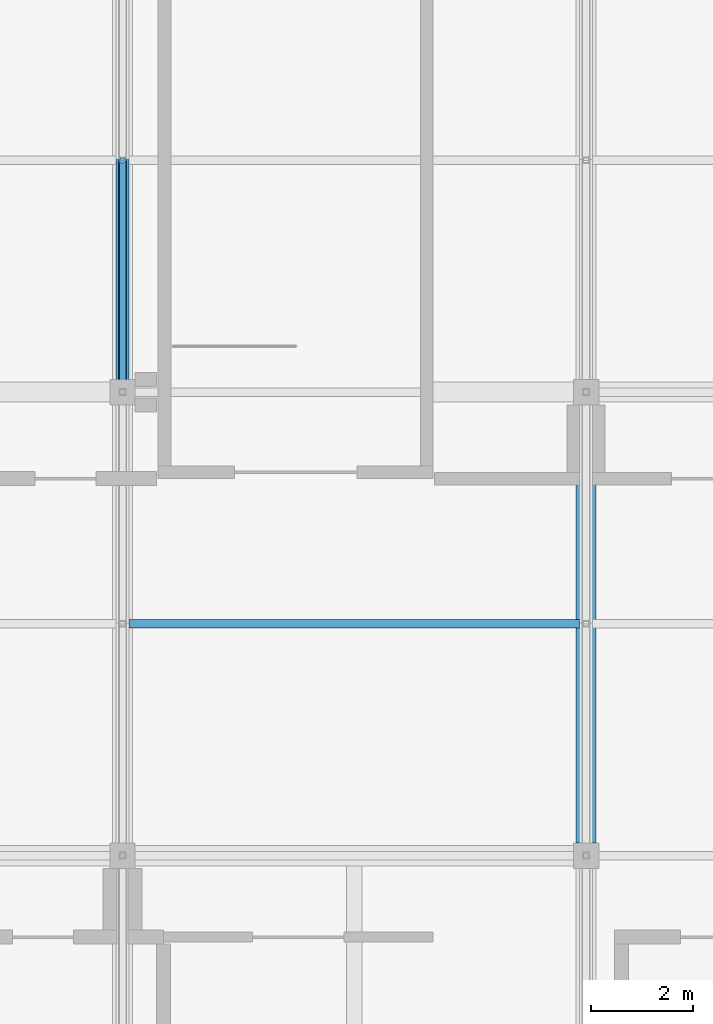
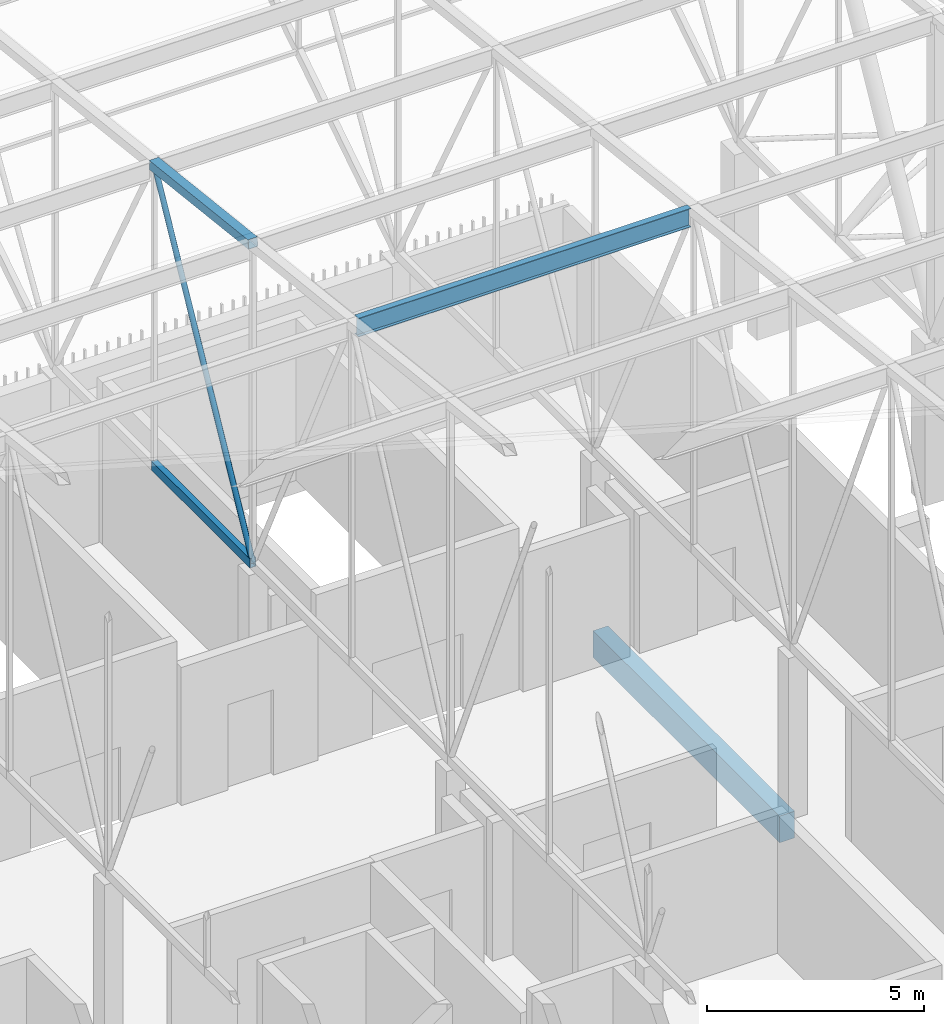
# One storey, part 238 of 500: 4 members, 1 beam.
"""IFC4 building model written with IfcOpenShell, lengths in metres."""

from ifc_helpers import new_model, si_unit, direction, frame, origin, origin_2d, place, context, subcontext, project, spatial, rectangle, hollow_rectangle, hollow_circle, i_section, extrude, material, material_profile, profile_set, type_object, element, save


model = new_model("IFC4")

# Units and contexts
model_context = context("Model", 3, precision=1e-05, world=origin(), true_north=direction((0.0, 1.0)))
body_context = subcontext(model_context, "Body", "Model", "MODEL_VIEW")
ifc_project = project(units=[si_unit("LENGTHUNIT", "METRE"), si_unit("AREAUNIT", "SQUARE_METRE"), si_unit("VOLUMEUNIT", "CUBIC_METRE"), si_unit("PLANEANGLEUNIT", "RADIAN"), si_unit("MASSUNIT", "GRAM", prefix="KILO")], contexts=[model_context])

# Site, building, storey
site_placement = place(None, origin())
site = spatial("IfcSite", under=ifc_project, at=site_placement, CompositionType="ELEMENT")
building_placement = place(site_placement, origin())
building = spatial("IfcBuilding", under=site, at=building_placement, Name="Shirokan Park Arena", CompositionType="ELEMENT")
storey_placement = place(building_placement, frame((0.0, 0.0, 29.1201171875)))
storey = spatial("IfcBuildingStorey", under=building, at=storey_placement, Name="L06", CompositionType="ELEMENT", Elevation=29.1201171875)

# Members
ifc_material_1 = material(Name="Steel ASTM A500 Grade C", Category="steel")
ifc_material_profile_1 = material_profile(ifc_material_1, hollow_rectangle(XDim=0.152099609375, YDim=0.25390625, WallThickness=0.009521484375, at=origin_2d()), Name="HSS254X152.4X9.5")
ifc_profile_set_1 = profile_set([ifc_material_profile_1], Name="Steel ASTM A500 Grade C")
member_type_1 = type_object("IfcMemberType", Name="Bottom chord HSS254X152.4X9.5", PredefinedType="CHORD", material=ifc_profile_set_1)
member_1_placement = place(storey_placement, frame((27.300048828125, 100.10009765625, 4.677001953125), z_axis=(0.0, 1.0, 0.0), x_axis=(-1.0, 0.0, 0.0)))
element("IfcMember", 1, at=member_1_placement, inside=storey, type_object=member_type_1, Name="Truss T04 bottom chord 25", PredefinedType="CHORD", context=body_context, shape_type="SweptSolid", body=[
    extrude(hollow_rectangle(XDim=0.152099609375, YDim=0.25390625, WallThickness=0.009521484375, at=origin_2d()), origin(), (0.0, 0.0, 1.0), 4.5498046875),
])
ifc_material_2 = material(Name="Steel ASTM A992", Category="steel")
ifc_material_profile_2 = material_profile(ifc_material_2, i_section(OverallWidth=0.166015625, OverallDepth=0.528076171875, WebThickness=0.009765625, FlangeThickness=0.013671875, at=origin_2d()), Name="W530X74")
ifc_profile_set_2 = profile_set([ifc_material_profile_2], Name="Steel ASTM A992")
member_type_2 = type_object("IfcMemberType", Name="Purlin W530X74", PredefinedType="PURLIN", material=ifc_profile_set_2)
member_2_placement = place(storey_placement, frame((27.427001953125, 95.550048828125, 14.0458984375), z_axis=(1.0, 0.0, 0.0), x_axis=(0.0, 1.0, 0.0)))
element("IfcMember", 2, at=member_2_placement, inside=storey, type_object=member_type_2, Name="Purlin 24 bay 4", PredefinedType="PURLIN", context=body_context, shape_type="SweptSolid", body=[
    extrude(i_section(OverallWidth=0.166015625, OverallDepth=0.528076171875, WebThickness=0.009765625, FlangeThickness=0.013671875, at=origin_2d()), origin(), (0.0, 0.0, 1.0), 8.845947265625),
])

# Beam
ifc_material_3 = material(Name="Concrete C35", Category="concrete")
ifc_material_profile_3 = material_profile(ifc_material_3, rectangle(XDim=0.39990234375, YDim=0.75, at=origin_2d()), Name="400x750")
ifc_profile_set_3 = profile_set([ifc_material_profile_3], Name="Concrete C35")
beam_type = type_object("IfcBeamType", Name="RC girder 400x750", PredefinedType="BEAM", material=ifc_profile_set_3)
beam_placement = place(storey_placement, frame((36.39990234375, 91.25, -0.5751953125), z_axis=(0.0, 1.0, 0.0), x_axis=(-1.0, 0.0, 0.0)))
element("IfcBeam", 3, at=beam_placement, inside=storey, type_object=beam_type, Name="Girder 5L-5M L06", PredefinedType="BEAM", context=body_context, shape_type="SweptSolid", body=[
    extrude(rectangle(XDim=0.39990234375, YDim=0.75, at=origin_2d()), origin(), (0.0, 0.0, 1.0), 8.599853515625),
])

# Members
ifc_material_profile_4 = material_profile(ifc_material_1, hollow_rectangle(XDim=0.25390625, YDim=0.25390625, WallThickness=0.009521484375, at=origin_2d()), Name="HSS254X254X9.5")
ifc_profile_set_4 = profile_set([ifc_material_profile_4], Name="Steel ASTM A500 Grade C")
member_type_3 = type_object("IfcMemberType", Name="Top chord HSS254X254X9.5", PredefinedType="CHORD", material=ifc_profile_set_4)
member_3_placement = place(storey_placement, frame((27.300048828125, 100.10009765625, 13.662841796875), z_axis=(0.0, 0.993531641592, -0.11355561261), x_axis=(-1.0, 0.0, 0.0)))
element("IfcMember", 4, at=member_3_placement, inside=storey, type_object=member_type_3, Name="Truss T04 top chord 25", PredefinedType="CHORD", context=body_context, shape_type="SweptSolid", body=[
    extrude(hollow_rectangle(XDim=0.25390625, YDim=0.25390625, WallThickness=0.009521484375, at=origin_2d()), origin(), (0.0, 0.0, 1.0), 4.579345703125),
])
ifc_material_profile_5 = material_profile(ifc_material_1, hollow_circle(Radius=0.070556640625, WallThickness=0.006591796875, at=origin_2d()), Name="HSS141.3X6.6")
ifc_profile_set_5 = profile_set([ifc_material_profile_5], Name="Steel ASTM A500 Grade C")
member_type_4 = type_object("IfcMemberType", Name="Truss diagonal HSS141.3X6.6", PredefinedType="BRACE", material=ifc_profile_set_5)
member_4_placement = place(storey_placement, frame((27.300048828125, 100.10009765625, 4.677001953125), z_axis=(0.0, 0.47339679801, 0.880849289966), x_axis=(-1.0, 0.0, 0.0)))
element("IfcMember", 5, at=member_4_placement, inside=storey, type_object=member_type_4, Name="Truss T04 diagonal 25", PredefinedType="BRACE", context=body_context, shape_type="SweptSolid", body=[
    extrude(hollow_circle(Radius=0.070556640625, WallThickness=0.006591796875, at=origin_2d()), origin(), (0.0, 0.0, 1.0), 9.611083984375),
])

save(model, "model.ifc")
